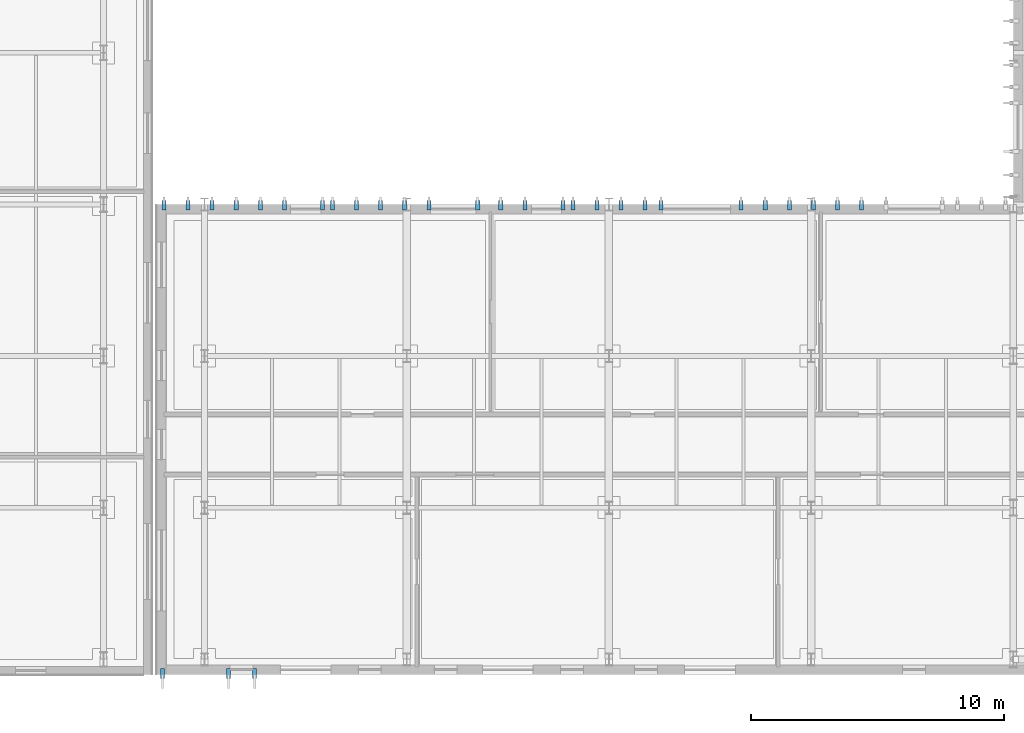
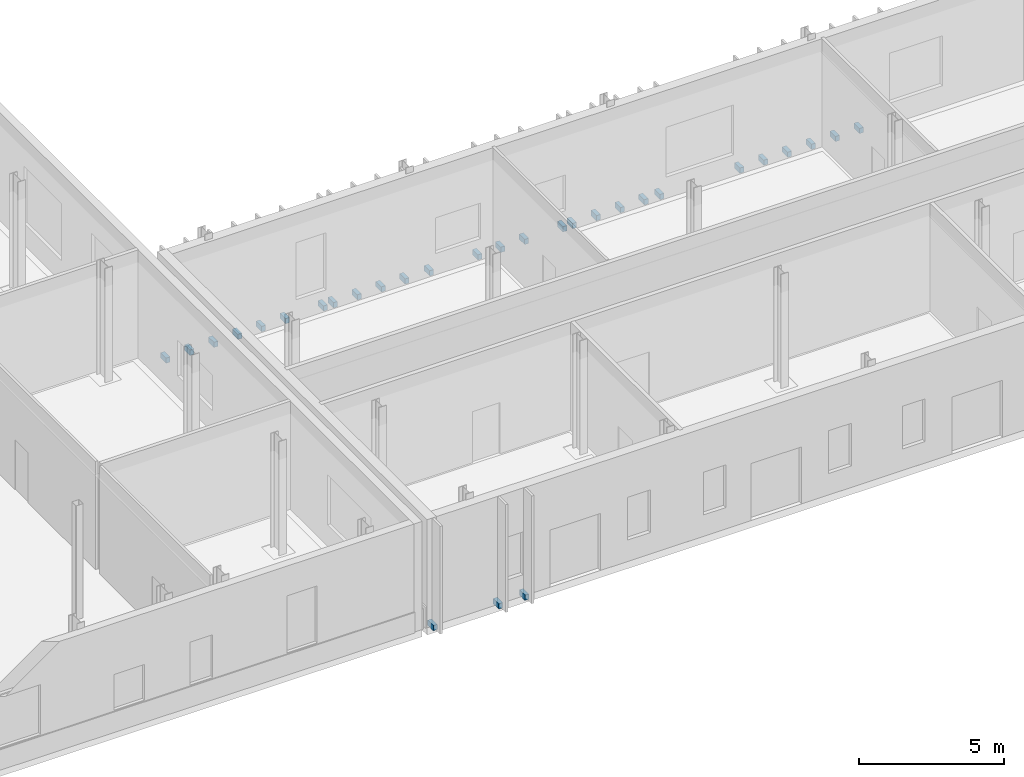
# One storey, part 37 of 60: 30 discrete accessories.
"""IFC4 building model written with IfcOpenShell, lengths in metres."""

from ifc_helpers import new_model, si_unit, direction, frame, origin, origin_2d, place, context, subcontext, project, spatial, rectangle, extrude, material, type_object, element, save


model = new_model("IFC4")

# Units and contexts
model_context = context("Model", 3, precision=1e-05, world=origin(), true_north=direction((0.0, 1.0)))
body_context = subcontext(model_context, "Body", "Model", "MODEL_VIEW")
ifc_project = project(units=[si_unit("LENGTHUNIT", "METRE"), si_unit("AREAUNIT", "SQUARE_METRE"), si_unit("VOLUMEUNIT", "CUBIC_METRE"), si_unit("PLANEANGLEUNIT", "RADIAN"), si_unit("MASSUNIT", "GRAM", prefix="KILO")], contexts=[model_context])

# Site, building, storey
site_placement = place(None, origin())
site = spatial("IfcSite", under=ifc_project, at=site_placement, CompositionType="ELEMENT")
building_placement = place(site_placement, origin())
building = spatial("IfcBuilding", under=site, at=building_placement, Name="Cymarion Research Institute", CompositionType="ELEMENT")
storey_placement = place(building_placement, origin())
storey = spatial("IfcBuildingStorey", under=building, at=storey_placement, Name="L00", CompositionType="ELEMENT", Elevation=0.0)

# Discrete accessories
ifc_material = material(Name="Steel S355", Category="steel")
discrete_accessory_type = type_object("IfcDiscreteAccessoryType", Name="STAINLESS STEEL FACADE FIN BRACKET FBK1", PredefinedType="BRACKET", material=ifc_material)
for number, where, z_axis, x_axis, name in (
    (1, (104.93994140625, 4.93994140625, -0.08984375), (0.0, 0.0, 1.0), (0.0, -1.0, 0.0), "L00 V1 precast fin anchor bracket #1"),
    (2, (107.544921875, 4.93994140625, -0.08984375), (0.0, 0.0, 1.0), (0.0, -1.0, 0.0), "L00 V1 precast fin anchor bracket #2"),
    (3, (108.5849609375, 4.93994140625, -0.08984375), (0.0, 0.0, 1.0), (0.0, -1.0, 0.0), "L00 V1 precast fin anchor bracket #3"),
    (4, (132.59130859375, 23.4599609375, -0.08984375), (0.0, 0.0, 1.0), (0.0, 1.0, 0.0), "L00 V1 precast fin anchor bracket #78"),
    (5, (131.639892578125, 23.4599609375, -0.08984375), (0.0, 0.0, 1.0), (0.0, 1.0, 0.0), "L00 V1 precast fin anchor bracket #79"),
    (6, (130.688720703125, 23.4599609375, -0.08984375), (0.0, 0.0, 1.0), (0.0, 1.0, 0.0), "L00 V1 precast fin anchor bracket #80"),
    (7, (129.737060546875, 23.4599609375, -0.08984375), (0.0, 0.0, 1.0), (0.0, 1.0, 0.0), "L00 V1 precast fin anchor bracket #81"),
    (8, (128.78564453125, 23.4599609375, -0.08984375), (0.0, 0.0, 1.0), (0.0, 1.0, 0.0), "L00 V1 precast fin anchor bracket #82"),
    (9, (127.834228515625, 23.4599609375, -0.08984375), (0.0, 0.0, 1.0), (0.0, 1.0, 0.0), "L00 V1 precast fin anchor bracket #83"),
    (10, (124.659912109375, 23.4599609375, -0.08984375), (0.0, 0.0, 1.0), (0.0, 1.0, 0.0), "L00 V1 precast fin anchor bracket #84"),
    (11, (124.028564453125, 23.4599609375, -0.08984375), (0.0, 0.0, 1.0), (0.0, 1.0, 0.0), "L00 V1 precast fin anchor bracket #85"),
    (12, (123.0771484375, 23.4599609375, -0.08984375), (0.0, 0.0, 1.0), (0.0, 1.0, 0.0), "L00 V1 precast fin anchor bracket #86"),
    (13, (122.125732421875, 23.4599609375, -0.08984375), (0.0, 0.0, 1.0), (0.0, 1.0, 0.0), "L00 V1 precast fin anchor bracket #87"),
    (14, (121.17431640625, 23.4599609375, -0.08984375), (0.0, 0.0, 1.0), (0.0, 1.0, 0.0), "L00 V1 precast fin anchor bracket #88"),
    (15, (120.7900390625, 23.4599609375, -0.08984375), (0.0, 0.0, 1.0), (0.0, 1.0, 0.0), "L00 V1 precast fin anchor bracket #89"),
    (16, (119.271484375, 23.4599609375, -0.08984375), (0.0, 0.0, 1.0), (0.0, 1.0, 0.0), "L00 V1 precast fin anchor bracket #90"),
    (17, (118.320068359375, 23.4599609375, -0.08984375), (0.0, 0.0, 1.0), (0.0, 1.0, 0.0), "L00 V1 precast fin anchor bracket #91"),
    (18, (117.409912109375, 23.4599609375, -0.08984375), (0.0, 0.0, 1.0), (0.0, 1.0, 0.0), "L00 V1 precast fin anchor bracket #92"),
    (19, (115.489990234375, 23.4599609375, -0.08984375), (0.0, 0.0, 1.0), (0.0, 1.0, 0.0), "L00 V1 precast fin anchor bracket #93"),
    (20, (114.514404296875, 23.4599609375, -0.08984375), (0.0, 0.0, 1.0), (0.0, 1.0, 0.0), "L00 V1 precast fin anchor bracket #94"),
    (21, (113.56298828125, 23.4599609375, -0.08984375), (0.0, 0.0, 1.0), (0.0, 1.0, 0.0), "L00 V1 precast fin anchor bracket #95"),
    (22, (112.611328125, 23.4599609375, -0.08984375), (0.0, 0.0, 1.0), (0.0, 1.0, 0.0), "L00 V1 precast fin anchor bracket #96"),
    (23, (111.659912109375, 23.4599609375, -0.08984375), (0.0, 0.0, 1.0), (0.0, 1.0, 0.0), "L00 V1 precast fin anchor bracket #97"),
    (24, (111.260009765625, 23.4599609375, -0.08984375), (0.0, 0.0, 1.0), (0.0, 1.0, 0.0), "L00 V1 precast fin anchor bracket #98"),
    (25, (109.757080078125, 23.4599609375, -0.08984375), (0.0, 0.0, 1.0), (0.0, 1.0, 0.0), "L00 V1 precast fin anchor bracket #99"),
    (26, (108.8056640625, 23.4599609375, -0.08984375), (0.0, 0.0, 1.0), (0.0, 1.0, 0.0), "L00 V1 precast fin anchor bracket #100"),
    (27, (107.854248046875, 23.4599609375, -0.08984375), (0.0, 0.0, 1.0), (0.0, 1.0, 0.0), "L00 V1 precast fin anchor bracket #101"),
    (28, (106.90283203125, 23.4599609375, -0.08984375), (0.0, 0.0, 1.0), (0.0, 1.0, 0.0), "L00 V1 precast fin anchor bracket #102"),
    (29, (105.951416015625, 23.4599609375, -0.08984375), (0.0, 0.0, 1.0), (0.0, 1.0, 0.0), "L00 V1 precast fin anchor bracket #103"),
    (30, (105.0, 23.4599609375, -0.08984375), (0.0, 0.0, 1.0), (0.0, 1.0, 0.0), "L00 V1 precast fin anchor bracket #104"),
):
    element("IfcDiscreteAccessory", number, at=place(storey_placement, frame(where, z_axis=z_axis, x_axis=x_axis)), inside=storey, type_object=discrete_accessory_type, Name=name, PredefinedType="BRACKET", context=body_context, shape_type="SweptSolid", body=[
        extrude(rectangle(XDim=0.3798828125, YDim=0.159912109375, at=origin_2d()), origin(), (0.0, 0.0, 1.0), 0.219970703125),
    ])

save(model, "model.ifc")
